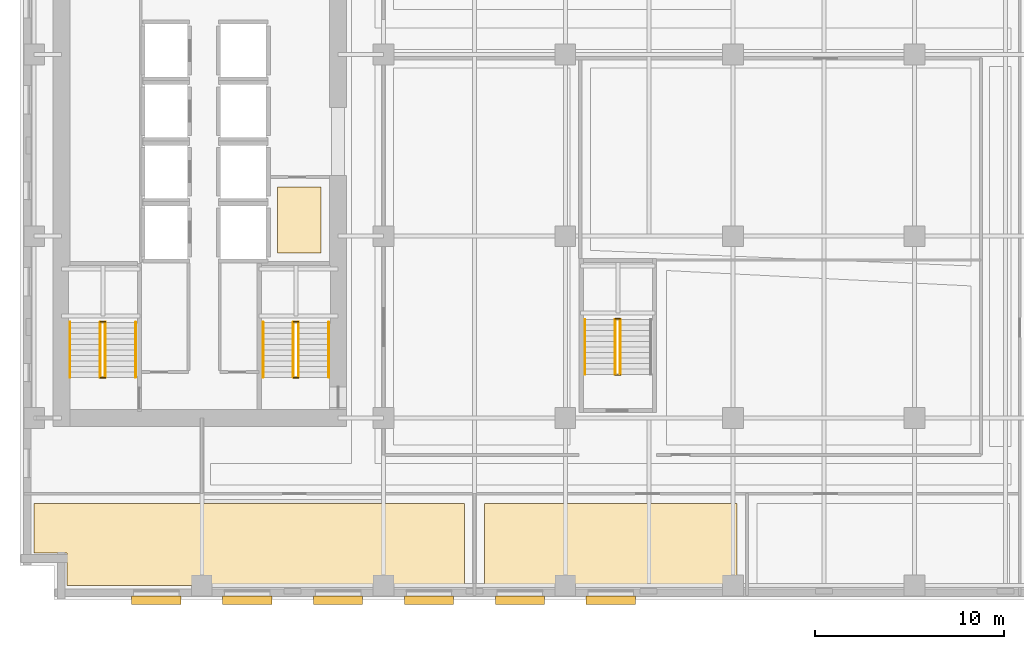
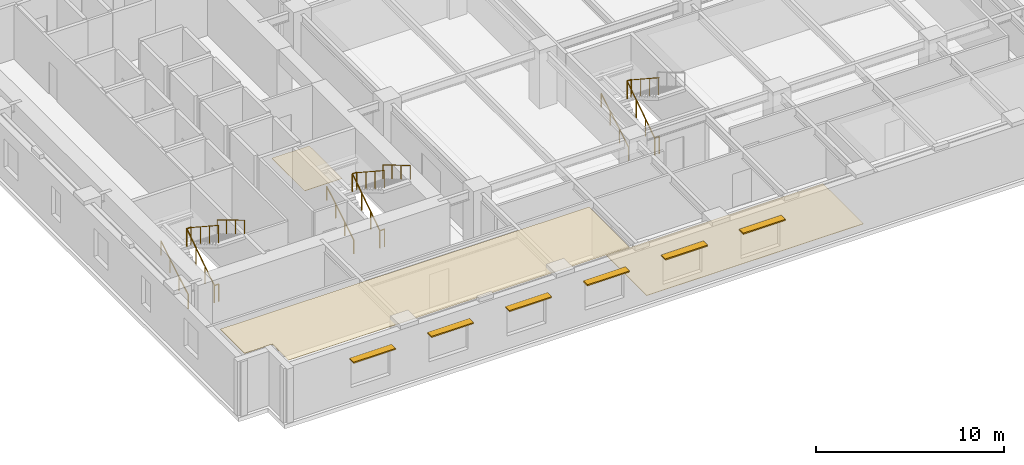
# One storey, part 10 of 14: 17 railings, 6 shading devices, 3 coverings.
"""IFC4 building model written with IfcOpenShell, lengths in metres."""

from ifc_helpers import new_model, si_unit, direction, frame, origin, origin_2d, place, context, subcontext, project, spatial, polyline, rectangle, circle, outline, extrude, material, layer, layer_set, type_object, element, save


model = new_model("IFC4")

# Units and contexts
model_context = context("Model", 3, precision=1e-05, world=origin(), true_north=direction((0.0, 1.0)))
body_context = subcontext(model_context, "Body", "Model", "MODEL_VIEW")
ifc_project = project(units=[si_unit("LENGTHUNIT", "METRE"), si_unit("AREAUNIT", "SQUARE_METRE"), si_unit("VOLUMEUNIT", "CUBIC_METRE"), si_unit("PLANEANGLEUNIT", "RADIAN"), si_unit("MASSUNIT", "GRAM", prefix="KILO")], contexts=[model_context])

# Site, building, storey
site_placement = place(None, origin())
site = spatial("IfcSite", under=ifc_project, at=site_placement, CompositionType="ELEMENT")
building_placement = place(site_placement, origin())
building = spatial("IfcBuilding", under=site, at=building_placement, Name="Norrvale University Quadrangle", CompositionType="ELEMENT")
storey_placement = place(building_placement, frame((0.0, 0.0, 73.60009765625)))
storey = spatial("IfcBuildingStorey", under=building, at=storey_placement, Name="L18", CompositionType="ELEMENT", Elevation=73.60009765625)

# Coverings
ifc_material_1 = material(Name="Perforated Acoustic Mineral Ceiling")
ifc_layer_1 = layer(ifc_material_1, 0.02490234375, Name="Perforated Acoustic Mineral Ceiling")
ifc_layer_set_1 = layer_set([ifc_layer_1], Name="Perforated Acoustic Mineral Ceiling")
covering_type_1 = type_object("IfcCoveringType", Name="Covering Acoustic Ceiling 25", PredefinedType="CEILING", material=ifc_layer_set_1)
covering_1_placement = place(storey_placement, frame((0.0, 0.0, 3.514892578125)))
element("IfcCovering", 1, at=covering_1_placement, inside=storey, type_object=covering_type_1, Name="Acoustic Ceiling RM-L18-S01", PredefinedType="CEILING", context=body_context, shape_type="SweptSolid", body=[
    extrude(outline(polyline([(0.75, 5.070068359375), (23.469970703125, 5.070068359375), (23.469970703125, 0.75), (2.469970703125, 0.75), (2.469970703125, 2.469970703125), (0.75, 2.469970703125), (0.75, 5.070068359375)])), origin(), (0.0, 0.0, 1.0), 0.02490234375),
])
ifc_material_2 = material(Name="Polished Terrazzo Flooring")
ifc_layer_2 = layer(ifc_material_2, 0.02490234375, Name="Polished Terrazzo Flooring")
ifc_layer_set_2 = layer_set([ifc_layer_2], Name="Polished Terrazzo Flooring")
covering_type_2 = type_object("IfcCoveringType", Name="Covering Terrazzo Floor 30", PredefinedType="FLOORING", material=ifc_layer_set_2)
covering_2_placement = place(storey_placement, origin())
element("IfcCovering", 2, at=covering_2_placement, inside=storey, type_object=covering_type_2, Name="Terrazzo Flooring RM-L18-JAN", PredefinedType="FLOORING", context=body_context, shape_type="SweptSolid", body=[
    extrude(outline(polyline([(13.60009765625, 18.300048828125), (13.60009765625, 21.800048828125), (15.89990234375, 21.800048828125), (15.89990234375, 18.300048828125), (13.60009765625, 18.300048828125)])), origin(), (0.0, 0.0, 1.0), 0.02490234375),
])
covering_3_placement = place(storey_placement, origin())
element("IfcCovering", 3, at=covering_3_placement, inside=storey, type_object=covering_type_2, Name="Terrazzo Flooring RM-L18-S02", PredefinedType="FLOORING", context=body_context, shape_type="SweptSolid", body=[
    extrude(outline(polyline([(24.530029296875, 5.070068359375), (37.8701171875, 5.070068359375), (37.8701171875, 0.75), (24.530029296875, 0.75), (24.530029296875, 5.070068359375)])), origin(), (0.0, 0.0, 1.0), 0.02490234375),
])

# Railings
ifc_material_3 = material(Name="Steel 350W Painted Balustrade", Category="steel")
railing_type_1 = type_object("IfcRailingType", Name="Railing Stair Guard 1100", PredefinedType="GUARDRAIL", material=ifc_material_3)
for number, where, name in (
    (4, (4.239990234375, 11.719970703125, 0.0), "Stair Floor Well Guard ST-01 L18"),
    (5, (4.239990234375, 14.679931640625, 1.89990234375), "Stair Mid-Landing Slot Guard ST-01 L18"),
):
    element("IfcRailing", number, at=place(storey_placement, frame(where)), inside=storey, type_object=railing_type_1, Name=name, PredefinedType="GUARDRAIL", context=body_context, shape_type="SweptSolid", body=[
        extrude(circle(Radius=0.02392578125, at=origin_2d()), frame((0.0, 0.0, 1.1259765625), z_axis=(1.0, 0.0, 0.0), x_axis=(0.0, 1.0, 0.0)), (0.0, 0.0, 1.0), 0.27001953125),
        extrude(circle(Radius=0.02099609375, at=origin_2d()), origin(), (0.0, 0.0, 1.0), 1.101806640625),
        extrude(circle(Radius=0.02099609375, at=origin_2d()), frame((0.27001953125, 0.0, 0.0)), (0.0, 0.0, 1.0), 1.101806640625),
    ])
railing_1_placement = place(storey_placement, frame((4.239990234375, 11.75, 0.0)))
element("IfcRailing", 6, at=railing_1_placement, inside=storey, type_object=railing_type_1, Name="Stair Lower Flight Inner Guard ST-01 L18", PredefinedType="GUARDRAIL", context=body_context, shape_type="SweptSolid", body=[
    extrude(circle(Radius=0.02392578125, at=origin_2d()), frame((0.0, 0.0, 1.1259765625), z_axis=(0.0, 0.836465582154, 0.548019461216), x_axis=(-1.0, 0.0, 0.0)), (0.0, 0.0, 1.0), 3.466796875),
    extrude(circle(Radius=0.02099609375, at=origin_2d()), origin(), (0.0, 0.0, 1.0), 1.101806640625),
    extrude(circle(Radius=0.02099609375, at=origin_2d()), frame((0.0, 0.966552734375, 0.63330078125)), (0.0, 0.0, 1.0), 1.101806640625),
    extrude(circle(Radius=0.02099609375, at=origin_2d()), frame((0.0, 1.933349609375, 1.2666015625)), (0.0, 0.0, 1.0), 1.101806640625),
    extrude(circle(Radius=0.02099609375, at=origin_2d()), frame((0.0, 2.89990234375, 1.89990234375)), (0.0, 0.0, 1.0), 1.101806640625),
])
railing_2_placement = place(storey_placement, frame((4.510009765625, 14.64990234375, 1.89990234375)))
element("IfcRailing", 7, at=railing_2_placement, inside=storey, type_object=railing_type_1, Name="Stair Upper Flight Inner Guard ST-01 L18", PredefinedType="GUARDRAIL", context=body_context, shape_type="SweptSolid", body=[
    extrude(circle(Radius=0.02392578125, at=origin_2d()), frame((0.0, 0.0, 1.1259765625), z_axis=(0.0, -0.836465582154, 0.548019461216), x_axis=(1.0, 0.0, 0.0)), (0.0, 0.0, 1.0), 3.466796875),
    extrude(circle(Radius=0.02099609375, at=origin_2d()), origin(), (0.0, 0.0, 1.0), 1.101806640625),
    extrude(circle(Radius=0.02099609375, at=origin_2d()), frame((0.0, -0.966552734375, 0.63330078125)), (0.0, 0.0, 1.0), 1.101806640625),
    extrude(circle(Radius=0.02099609375, at=origin_2d()), frame((0.0, -1.933349609375, 1.2666015625)), (0.0, 0.0, 1.0), 1.101806640625),
    extrude(circle(Radius=0.02099609375, at=origin_2d()), frame((0.0, -2.89990234375, 1.89990234375)), (0.0, 0.0, 1.0), 1.101806640625),
])
for number, where, name in (
    (8, (14.43994140625, 11.719970703125, 0.0), "Stair Floor Well Guard ST-03 L18"),
    (9, (14.43994140625, 14.679931640625, 1.89990234375), "Stair Mid-Landing Slot Guard ST-03 L18"),
):
    element("IfcRailing", number, at=place(storey_placement, frame(where)), inside=storey, type_object=railing_type_1, Name=name, PredefinedType="GUARDRAIL", context=body_context, shape_type="SweptSolid", body=[
        extrude(circle(Radius=0.02392578125, at=origin_2d()), frame((0.0, 0.0, 1.1259765625), z_axis=(1.0, 0.0, 0.0), x_axis=(0.0, 1.0, 0.0)), (0.0, 0.0, 1.0), 0.27001953125),
        extrude(circle(Radius=0.02099609375, at=origin_2d()), origin(), (0.0, 0.0, 1.0), 1.101806640625),
        extrude(circle(Radius=0.02099609375, at=origin_2d()), frame((0.27001953125, 0.0, 0.0)), (0.0, 0.0, 1.0), 1.101806640625),
    ])
railing_3_placement = place(storey_placement, frame((14.43994140625, 11.75, 0.0)))
element("IfcRailing", 10, at=railing_3_placement, inside=storey, type_object=railing_type_1, Name="Stair Lower Flight Inner Guard ST-03 L18", PredefinedType="GUARDRAIL", context=body_context, shape_type="SweptSolid", body=[
    extrude(circle(Radius=0.02392578125, at=origin_2d()), frame((0.0, 0.0, 1.1259765625), z_axis=(0.0, 0.836465582154, 0.548019461216), x_axis=(-1.0, 0.0, 0.0)), (0.0, 0.0, 1.0), 3.466796875),
    extrude(circle(Radius=0.02099609375, at=origin_2d()), origin(), (0.0, 0.0, 1.0), 1.101806640625),
    extrude(circle(Radius=0.02099609375, at=origin_2d()), frame((0.0, 0.966552734375, 0.63330078125)), (0.0, 0.0, 1.0), 1.101806640625),
    extrude(circle(Radius=0.02099609375, at=origin_2d()), frame((0.0, 1.933349609375, 1.2666015625)), (0.0, 0.0, 1.0), 1.101806640625),
    extrude(circle(Radius=0.02099609375, at=origin_2d()), frame((0.0, 2.89990234375, 1.89990234375)), (0.0, 0.0, 1.0), 1.101806640625),
])
railing_4_placement = place(storey_placement, frame((14.7099609375, 14.64990234375, 1.89990234375)))
element("IfcRailing", 11, at=railing_4_placement, inside=storey, type_object=railing_type_1, Name="Stair Upper Flight Inner Guard ST-03 L18", PredefinedType="GUARDRAIL", context=body_context, shape_type="SweptSolid", body=[
    extrude(circle(Radius=0.02392578125, at=origin_2d()), frame((0.0, 0.0, 1.1259765625), z_axis=(0.0, -0.836465582154, 0.548019461216), x_axis=(1.0, 0.0, 0.0)), (0.0, 0.0, 1.0), 3.466796875),
    extrude(circle(Radius=0.02099609375, at=origin_2d()), origin(), (0.0, 0.0, 1.0), 1.101806640625),
    extrude(circle(Radius=0.02099609375, at=origin_2d()), frame((0.0, -0.966552734375, 0.63330078125)), (0.0, 0.0, 1.0), 1.101806640625),
    extrude(circle(Radius=0.02099609375, at=origin_2d()), frame((0.0, -1.933349609375, 1.2666015625)), (0.0, 0.0, 1.0), 1.101806640625),
    extrude(circle(Radius=0.02099609375, at=origin_2d()), frame((0.0, -2.89990234375, 1.89990234375)), (0.0, 0.0, 1.0), 1.101806640625),
])
for number, where, name in (
    (12, (31.43994140625, 11.8701171875, 0.0), "Stair Floor Well Guard ST-04 L18"),
    (13, (31.43994140625, 14.830078125, 1.89990234375), "Stair Mid-Landing Slot Guard ST-04 L18"),
):
    element("IfcRailing", number, at=place(storey_placement, frame(where)), inside=storey, type_object=railing_type_1, Name=name, PredefinedType="GUARDRAIL", context=body_context, shape_type="SweptSolid", body=[
        extrude(circle(Radius=0.02392578125, at=origin_2d()), frame((0.0, 0.0, 1.1259765625), z_axis=(1.0, 0.0, 0.0), x_axis=(0.0, 1.0, 0.0)), (0.0, 0.0, 1.0), 0.27001953125),
        extrude(circle(Radius=0.02099609375, at=origin_2d()), origin(), (0.0, 0.0, 1.0), 1.101806640625),
        extrude(circle(Radius=0.02099609375, at=origin_2d()), frame((0.27001953125, 0.0, 0.0)), (0.0, 0.0, 1.0), 1.101806640625),
    ])
railing_5_placement = place(storey_placement, frame((31.43994140625, 11.89990234375, 0.0)))
element("IfcRailing", 14, at=railing_5_placement, inside=storey, type_object=railing_type_1, Name="Stair Lower Flight Inner Guard ST-04 L18", PredefinedType="GUARDRAIL", context=body_context, shape_type="SweptSolid", body=[
    extrude(circle(Radius=0.02392578125, at=origin_2d()), frame((0.0, 0.0, 1.1259765625), z_axis=(0.0, 0.836486729621, 0.547987181573), x_axis=(-1.0, 0.0, 0.0)), (0.0, 0.0, 1.0), 3.467041015625),
    extrude(circle(Radius=0.02099609375, at=origin_2d()), origin(), (0.0, 0.0, 1.0), 1.101806640625),
    extrude(circle(Radius=0.02099609375, at=origin_2d()), frame((0.0, 0.966796875, 0.63330078125)), (0.0, 0.0, 1.0), 1.101806640625),
    extrude(circle(Radius=0.02099609375, at=origin_2d()), frame((0.0, 1.933349609375, 1.2666015625)), (0.0, 0.0, 1.0), 1.101806640625),
    extrude(circle(Radius=0.02099609375, at=origin_2d()), frame((0.0, 2.900146484375, 1.89990234375)), (0.0, 0.0, 1.0), 1.101806640625),
])
railing_6_placement = place(storey_placement, frame((31.7099609375, 14.800048828125, 1.89990234375)))
element("IfcRailing", 15, at=railing_6_placement, inside=storey, type_object=railing_type_1, Name="Stair Upper Flight Inner Guard ST-04 L18", PredefinedType="GUARDRAIL", context=body_context, shape_type="SweptSolid", body=[
    extrude(circle(Radius=0.02392578125, at=origin_2d()), frame((0.0, 0.0, 1.1259765625), z_axis=(0.0, -0.836486729621, 0.547987181573), x_axis=(1.0, 0.0, 0.0)), (0.0, 0.0, 1.0), 3.467041015625),
    extrude(circle(Radius=0.02099609375, at=origin_2d()), origin(), (0.0, 0.0, 1.0), 1.101806640625),
    extrude(circle(Radius=0.02099609375, at=origin_2d()), frame((0.0, -0.966796875, 0.63330078125)), (0.0, 0.0, 1.0), 1.101806640625),
    extrude(circle(Radius=0.02099609375, at=origin_2d()), frame((0.0, -1.933349609375, 1.2666015625)), (0.0, 0.0, 1.0), 1.101806640625),
    extrude(circle(Radius=0.02099609375, at=origin_2d()), frame((0.0, -2.900146484375, 1.89990234375)), (0.0, 0.0, 1.0), 1.101806640625),
])
ifc_material_4 = material(Name="Stainless Steel 316L Handrail", Category="steel")
railing_type_2 = type_object("IfcRailingType", Name="Railing Stair Handrail 920", PredefinedType="HANDRAIL", material=ifc_material_4)
railing_7_placement = place(storey_placement, frame((2.639892578125, 11.75, 0.172607421875)))
element("IfcRailing", 16, at=railing_7_placement, inside=storey, type_object=railing_type_2, Name="Stair Lower Flight Handrail ST-01 L18", PredefinedType="HANDRAIL", context=body_context, shape_type="SweptSolid", body=[
    extrude(circle(Radius=0.02392578125, at=origin_2d()), frame((0.0, 0.0, 0.89599609375), z_axis=(0.0, 0.859141464434, 0.511738159696), x_axis=(-1.0, 0.0, 0.0)), (0.0, 0.0, 1.0), 3.375244140625),
    extrude(circle(Radius=0.02099609375, at=origin_2d()), origin(), (0.0, 0.0, 1.0), 0.871826171875),
    extrude(circle(Radius=0.02099609375, at=origin_2d()), frame((0.0, 0.966552734375, 0.57568359375)), (0.0, 0.0, 1.0), 0.871826171875),
    extrude(circle(Radius=0.02099609375, at=origin_2d()), frame((0.0, 1.933349609375, 1.151611328125)), (0.0, 0.0, 1.0), 0.871826171875),
    extrude(circle(Radius=0.02099609375, at=origin_2d()), frame((0.0, 2.89990234375, 1.727294921875)), (0.0, 0.0, 1.0), 0.871826171875),
])
railing_8_placement = place(storey_placement, frame((6.110107421875, 14.64990234375, 2.072509765625)))
element("IfcRailing", 17, at=railing_8_placement, inside=storey, type_object=railing_type_2, Name="Stair Upper Flight Handrail ST-01 L18", PredefinedType="HANDRAIL", context=body_context, shape_type="SweptSolid", body=[
    extrude(circle(Radius=0.02392578125, at=origin_2d()), frame((0.0, 0.0, 0.89599609375), z_axis=(0.0, -0.859141464434, 0.511738159696), x_axis=(1.0, 0.0, 0.0)), (0.0, 0.0, 1.0), 3.375244140625),
    extrude(circle(Radius=0.02099609375, at=origin_2d()), origin(), (0.0, 0.0, 1.0), 0.871826171875),
    extrude(circle(Radius=0.02099609375, at=origin_2d()), frame((0.0, -0.966552734375, 0.57568359375)), (0.0, 0.0, 1.0), 0.871826171875),
    extrude(circle(Radius=0.02099609375, at=origin_2d()), frame((0.0, -1.933349609375, 1.151611328125)), (0.0, 0.0, 1.0), 0.871826171875),
    extrude(circle(Radius=0.02099609375, at=origin_2d()), frame((0.0, -2.89990234375, 1.727294921875)), (0.0, 0.0, 1.0), 0.871826171875),
])
railing_9_placement = place(storey_placement, frame((12.840087890625, 11.75, 0.172607421875)))
element("IfcRailing", 18, at=railing_9_placement, inside=storey, type_object=railing_type_2, Name="Stair Lower Flight Handrail ST-03 L18", PredefinedType="HANDRAIL", context=body_context, shape_type="SweptSolid", body=[
    extrude(circle(Radius=0.02392578125, at=origin_2d()), frame((0.0, 0.0, 0.89599609375), z_axis=(0.0, 0.859141464434, 0.511738159696), x_axis=(-1.0, 0.0, 0.0)), (0.0, 0.0, 1.0), 3.375244140625),
    extrude(circle(Radius=0.02099609375, at=origin_2d()), origin(), (0.0, 0.0, 1.0), 0.871826171875),
    extrude(circle(Radius=0.02099609375, at=origin_2d()), frame((0.0, 0.966552734375, 0.57568359375)), (0.0, 0.0, 1.0), 0.871826171875),
    extrude(circle(Radius=0.02099609375, at=origin_2d()), frame((0.0, 1.933349609375, 1.151611328125)), (0.0, 0.0, 1.0), 0.871826171875),
    extrude(circle(Radius=0.02099609375, at=origin_2d()), frame((0.0, 2.89990234375, 1.727294921875)), (0.0, 0.0, 1.0), 0.871826171875),
])
railing_10_placement = place(storey_placement, frame((16.31005859375, 14.64990234375, 2.072509765625)))
element("IfcRailing", 19, at=railing_10_placement, inside=storey, type_object=railing_type_2, Name="Stair Upper Flight Handrail ST-03 L18", PredefinedType="HANDRAIL", context=body_context, shape_type="SweptSolid", body=[
    extrude(circle(Radius=0.02392578125, at=origin_2d()), frame((0.0, 0.0, 0.89599609375), z_axis=(0.0, -0.859141464434, 0.511738159696), x_axis=(1.0, 0.0, 0.0)), (0.0, 0.0, 1.0), 3.375244140625),
    extrude(circle(Radius=0.02099609375, at=origin_2d()), origin(), (0.0, 0.0, 1.0), 0.871826171875),
    extrude(circle(Radius=0.02099609375, at=origin_2d()), frame((0.0, -0.966552734375, 0.57568359375)), (0.0, 0.0, 1.0), 0.871826171875),
    extrude(circle(Radius=0.02099609375, at=origin_2d()), frame((0.0, -1.933349609375, 1.151611328125)), (0.0, 0.0, 1.0), 0.871826171875),
    extrude(circle(Radius=0.02099609375, at=origin_2d()), frame((0.0, -2.89990234375, 1.727294921875)), (0.0, 0.0, 1.0), 0.871826171875),
])
railing_11_placement = place(storey_placement, frame((29.840087890625, 11.89990234375, 0.172607421875)))
element("IfcRailing", 20, at=railing_11_placement, inside=storey, type_object=railing_type_2, Name="Stair Lower Flight Handrail ST-04 L18", PredefinedType="HANDRAIL", context=body_context, shape_type="SweptSolid", body=[
    extrude(circle(Radius=0.02392578125, at=origin_2d()), frame((0.0, 0.0, 0.89599609375), z_axis=(0.0, 0.859160404282, 0.51170636083), x_axis=(-1.0, 0.0, 0.0)), (0.0, 0.0, 1.0), 3.37548828125),
    extrude(circle(Radius=0.02099609375, at=origin_2d()), origin(), (0.0, 0.0, 1.0), 0.871826171875),
    extrude(circle(Radius=0.02099609375, at=origin_2d()), frame((0.0, 0.966796875, 0.57568359375)), (0.0, 0.0, 1.0), 0.871826171875),
    extrude(circle(Radius=0.02099609375, at=origin_2d()), frame((0.0, 1.933349609375, 1.151611328125)), (0.0, 0.0, 1.0), 0.871826171875),
    extrude(circle(Radius=0.02099609375, at=origin_2d()), frame((0.0, 2.900146484375, 1.727294921875)), (0.0, 0.0, 1.0), 0.871826171875),
])

# Shading devices
ifc_material_5 = material(Name="Anodized Aluminium 6063-T6", Category="aluminium")
ifc_layer_3 = layer(ifc_material_5, 0.080078125, Name="Anodized Aluminium 6063-T6")
ifc_layer_set_3 = layer_set([ifc_layer_3], Name="Anodized Aluminium 6063-T6")
shading_device_type = type_object("IfcShadingDeviceType", Name="Shade South Sunshade 450", PredefinedType="USERDEFINED", material=ifc_layer_set_3)
for number, where, z_axis, x_axis, name in (
    (21, (7.199951171875, -0.02001953125, 2.719970703125), (0.0, 0.0, 1.0), (1.0, 0.0, 0.0), "South Solar Brise-Soleil 13"),
    (22, (12.0, -0.02001953125, 2.719970703125), (0.0, 0.0, 1.0), (1.0, 0.0, 0.0), "South Solar Brise-Soleil 14"),
    (23, (16.800048828125, -0.02001953125, 2.719970703125), (0.0, 0.0, 1.0), (1.0, 0.0, 0.0), "South Solar Brise-Soleil 15"),
    (24, (21.60009765625, -0.02001953125, 2.719970703125), (0.0, 0.0, 1.0), (1.0, 0.0, 0.0), "South Solar Brise-Soleil 16"),
    (25, (26.39990234375, -0.02001953125, 2.719970703125), (0.0, 0.0, 1.0), (1.0, 0.0, 0.0), "South Solar Brise-Soleil 17"),
    (26, (31.199951171875, -0.02001953125, 2.719970703125), (0.0, 0.0, 1.0), (1.0, 0.0, 0.0), "South Solar Brise-Soleil 18"),
):
    element("IfcShadingDevice", number, at=place(storey_placement, frame(where, z_axis=z_axis, x_axis=x_axis)), inside=storey, type_object=shading_device_type, Name=name, ObjectType="SUNSHADE", PredefinedType="USERDEFINED", context=body_context, shape_type="SweptSolid", body=[
        extrude(rectangle(XDim=2.60009765625, YDim=0.449951171875, at=origin_2d()), origin(), (0.0, 0.0, 1.0), 0.080078125),
    ])

save(model, "model.ifc")
